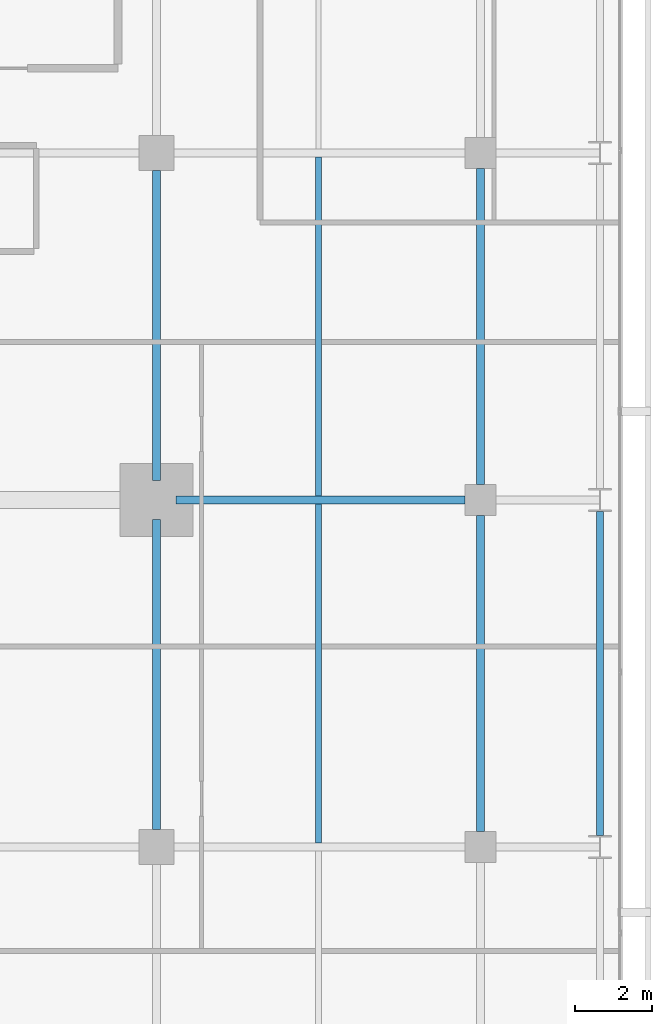
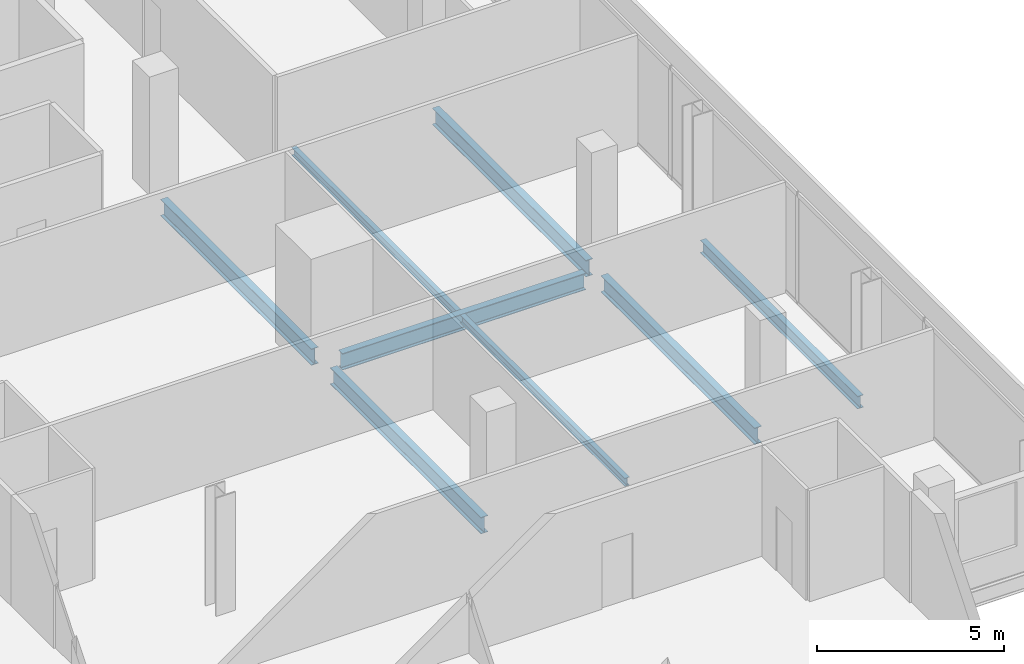
# One storey, part 16 of 32: 8 beams.
"""IFC4 building model written with IfcOpenShell, lengths in metres."""

import ifcopenshell
import ifcopenshell.guid

model = None  # the IFC model being written
_history = None  # IfcOwnerHistory: only IFC2X3 demands one
_inside = {}  # id of a spatial element -> (the spatial element, [elements in it])
_under = {}  # id of a project, library or spatial element -> (it, [spatial elements below it])
_declared = {}  # id of a project -> (the project, [libraries it declares])
_typed = {}  # id of a type object -> (the type object, [elements of that type])
_made_of = {}  # id of a material, layer set ... -> (it, [elements and type objects made of it])


def new_model(schema):
    """Start an empty IFC model of exactly this schema.

    Asked for "IFC4X3", IfcOpenShell would pick the latest addendum, in which some entities
    have other attributes; the version numbers below select the first issue.
    IFC2X3 requires an IfcOwnerHistory on every rooted entity: one is made here for all.
    """
    global model, _history
    if schema == "IFC4X3":
        model = ifcopenshell.file(schema_version=(4, 3, 0, 0))
    else:
        model = ifcopenshell.file(schema=schema)
    _inside.clear()
    _under.clear()
    _declared.clear()
    _typed.clear()
    _made_of.clear()
    _history = None
    if model.schema == "IFC2X3":
        org = make("IfcOrganization", Name="unknown")
        user = make(
            "IfcPersonAndOrganization",
            ThePerson=make("IfcPerson", FamilyName="unknown"),
            TheOrganization=org,
        )
        app = make(
            "IfcApplication",
            ApplicationDeveloper=org,
            Version="unknown",
            ApplicationFullName="unknown",
            ApplicationIdentifier="unknown",
        )
        _history = make(
            "IfcOwnerHistory",
            OwningUser=user,
            OwningApplication=app,
            ChangeAction="ADDED",
            CreationDate=0,
        )
    return model


def make(cls, **values):
    """One entity of the class cls with the attributes given. An attribute that is None is left unset."""
    return model.create_entity(
        cls, **{name: value for name, value in values.items() if value is not None}
    )


def rooted(cls, **values):
    """An entity with a GlobalId (a new one), such as an element, a storey or a relation."""
    return make(cls, GlobalId=ifcopenshell.guid.new(), OwnerHistory=_history, **values)


def si_unit(unit_type, name, prefix=None):
    """IfcSIUnit, for example si_unit("LENGTHUNIT", "METRE", prefix="MILLI")."""
    return make("IfcSIUnit", UnitType=unit_type, Prefix=prefix, Name=name)


def assignment(units):
    """IfcUnitAssignment: the units of a project."""
    return None if units is None else make("IfcUnitAssignment", Units=units)


def point(xyz):
    """IfcCartesianPoint."""
    return None if xyz is None else make("IfcCartesianPoint", Coordinates=xyz)


def direction(xyz):
    """IfcDirection."""
    return None if xyz is None else make("IfcDirection", DirectionRatios=xyz)


def frame(location, z_axis=None, x_axis=None):
    """IfcAxis2Placement3D, a coordinate frame: its origin and axes. An axis left out is left unset."""
    return make(
        "IfcAxis2Placement3D",
        Location=point(location),
        Axis=direction(z_axis),
        RefDirection=direction(x_axis),
    )


def frame_2d(location, x_axis=None):
    """IfcAxis2Placement2D, a coordinate frame in the plane: its origin and x axis."""
    return make(
        "IfcAxis2Placement2D", Location=point(location), RefDirection=direction(x_axis)
    )


def origin():
    """The frame at (0, 0, 0) with its axes left unset."""
    return frame((0.0, 0.0, 0.0))


def origin_2d():
    """The frame at (0, 0) in the plane with its x axis left unset."""
    return frame_2d((0.0, 0.0))


def place(relative_to, where):
    """IfcLocalPlacement: puts the frame where relative to a parent placement (None: the world)."""
    return make(
        "IfcLocalPlacement", PlacementRelTo=relative_to, RelativePlacement=where
    )


def context(
    kind, dimensions, precision=None, world=None, true_north=None, identifier=None
):
    """IfcGeometricRepresentationContext, for example the 3D "Model" context."""
    return make(
        "IfcGeometricRepresentationContext",
        ContextIdentifier=identifier,
        ContextType=kind,
        CoordinateSpaceDimension=dimensions,
        Precision=precision,
        WorldCoordinateSystem=world,
        TrueNorth=true_north,
    )


def subcontext(parent, identifier, kind, view, scale=None):
    """IfcGeometricRepresentationSubContext, for example "Body" below "Model"."""
    return make(
        "IfcGeometricRepresentationSubContext",
        ContextIdentifier=identifier,
        ContextType=kind,
        ParentContext=parent,
        TargetScale=scale,
        TargetView=view,
    )


def project(units=None, contexts=None):
    """IfcProject with its units and contexts."""
    return rooted(
        "IfcProject",
        Name="project",
        RepresentationContexts=contexts,
        UnitsInContext=assignment(units),
    )


def spatial(cls, under=None, at=None, **own):
    """A site, building, storey or space (cls), placed at a placement, below another one or the project."""
    s = rooted(cls, ObjectPlacement=at, **own)
    if under is not None:
        _under.setdefault(under.id(), (under, []))[1].append(s)
    return s


def profile(cls, at=None, kind="AREA", **sizes):
    """A parametric profile (cls). Its sizes go by their IFC names, for example OverallWidth=200.0."""
    return make(cls, ProfileType=kind, Position=at, **sizes)


def i_section(**sizes):
    """IfcIShapeProfileDef."""
    return profile("IfcIShapeProfileDef", **sizes)


def extrude(swept, where, along, depth):
    """IfcExtrudedAreaSolid: the profile swept, set in the frame where, extruded along a direction by depth."""
    return make(
        "IfcExtrudedAreaSolid",
        SweptArea=swept,
        Position=where,
        ExtrudedDirection=direction(along),
        Depth=depth,
    )


def shape(context_of_items, identifier, shape_type, items):
    """IfcShapeRepresentation: the items that make up one representation, for example the "Body"."""
    return make(
        "IfcShapeRepresentation",
        ContextOfItems=context_of_items,
        RepresentationIdentifier=identifier,
        RepresentationType=shape_type,
        Items=items,
    )


def material(Name=None, Category=None):
    """IfcMaterial."""
    return make("IfcMaterial", Name=Name, Category=Category)


def material_profile(
    of_material, cross_section, Name=None, Category=None, Priority=None
):
    """IfcMaterialProfile: a cross section and its material."""
    return make(
        "IfcMaterialProfile",
        Name=Name,
        Material=of_material,
        Profile=cross_section,
        Priority=Priority,
        Category=Category,
    )


def profile_set(profiles, Name=None, composite=None):
    """IfcMaterialProfileSet."""
    return make(
        "IfcMaterialProfileSet",
        Name=Name,
        MaterialProfiles=profiles,
        CompositeProfile=composite,
    )


def made_of(thing, what):
    """Note that an element or type object is made of a material, layer set ...; save() writes the relation."""
    if what is not None:
        _made_of.setdefault(what.id(), (what, []))[1].append(thing)
    return thing


def type_object(cls, material=None, **own):
    """A type object (cls), such as IfcWallType, which elements share."""
    return made_of(rooted(cls, **own), material)


def element(
    cls,
    number,
    at=None,
    inside=None,
    cuts=None,
    type_object=None,
    material=None,
    context=None,
    identifier="Body",
    shape_type=None,
    held_by="IfcProductDefinitionShape",
    body=None,
    shapes=None,
    **own,
):
    """One element of the class cls, such as IfcWall. Its Tag is "e" and its number.

    at: its placement. inside: the storey or other place that contains it. cuts: it is an
    opening in that element (IfcRelVoidsElement). A single representation is given by context,
    identifier, shape_type and body (its items); several are given by shapes. held_by: the class
    of the entity that holds the representations. save() writes the other relations.
    """
    e = rooted(cls, Tag="e%d" % number, ObjectPlacement=at, **own)
    if body is not None:
        shapes = [shape(context, identifier, shape_type, body)]
    if shapes is not None:
        e.Representation = make(held_by, Representations=shapes)
    if inside is not None:
        _inside.setdefault(inside.id(), (inside, []))[1].append(e)
    if cuts is not None:
        rooted(
            "IfcRelVoidsElement", RelatingBuildingElement=cuts, RelatedOpeningElement=e
        )
    if type_object is not None:
        _typed.setdefault(type_object.id(), (type_object, []))[1].append(e)
    return made_of(e, material)


def aggregate(whole, parts):
    """IfcRelAggregates: a whole, such as a stair, and the parts it consists of."""
    return rooted("IfcRelAggregates", RelatingObject=whole, RelatedObjects=parts)


def save(model, path):
    """Write the relations noted so far, then the file.

    IfcRelAggregates (storeys below a building ...), IfcRelContainedInSpatialStructure (elements
    in a storey), IfcRelDefinesByType, IfcRelAssociatesMaterial and IfcRelDeclares: one each for
    every whole, place, type object, material and project.
    """
    for whole, parts in _under.values():
        aggregate(whole, parts)
    for where, things in _inside.values():
        rooted(
            "IfcRelContainedInSpatialStructure",
            RelatedElements=things,
            RelatingStructure=where,
        )
    for kind, things in _typed.values():
        rooted("IfcRelDefinesByType", RelatedObjects=things, RelatingType=kind)
    for what, things in _made_of.values():
        rooted("IfcRelAssociatesMaterial", RelatedObjects=things, RelatingMaterial=what)
    for by, libraries in _declared.values():
        rooted("IfcRelDeclares", RelatingContext=by, RelatedDefinitions=libraries)
    model.write(path)


model = new_model("IFC4")

# Units and contexts
model_context = context("Model", 3, precision=1e-05, world=origin(), true_north=direction((0.0, 1.0)))
body_context = subcontext(model_context, "Body", "Model", "MODEL_VIEW")
ifc_project = project(units=[si_unit("LENGTHUNIT", "METRE"), si_unit("AREAUNIT", "SQUARE_METRE"), si_unit("VOLUMEUNIT", "CUBIC_METRE"), si_unit("PLANEANGLEUNIT", "RADIAN"), si_unit("MASSUNIT", "GRAM", prefix="KILO")], contexts=[model_context])

# Site, building, storey
site_placement = place(None, origin())
site = spatial("IfcSite", under=ifc_project, at=site_placement, CompositionType="ELEMENT")
building_placement = place(site_placement, origin())
building = spatial("IfcBuilding", under=site, at=building_placement, Name="Maruvema Waterfront Hotel and Observation Tower", CompositionType="ELEMENT")
storey_placement = place(building_placement, frame((0.0, 0.0, 219.800048828125)))
storey = spatial("IfcBuildingStorey", under=building, at=storey_placement, Name="L54", CompositionType="ELEMENT", Elevation=219.800048828125)

# Beams
ifc_material_1 = material(Name="Steel ASTM A572 Grade 50", Category="steel")
ifc_material_profile_1 = material_profile(ifc_material_1, i_section(OverallWidth=0.178955078125, OverallDepth=0.409912109375, WebThickness=0.0087890625, FlangeThickness=0.014404296875, FilletRadius=0.014892578125, at=origin_2d()), Name="W410x67.0")
ifc_profile_set_1 = profile_set([ifc_material_profile_1], Name="Steel ASTM A572 Grade 50")
beam_type_1 = type_object("IfcBeamType", Name="Perimeter Spandrel Beam W410x67.0", PredefinedType="SPANDREL", material=ifc_profile_set_1)
beam_1_placement = place(storey_placement, frame((61.89990234375, 18.300048828125, -0.445068359375), z_axis=(0.0, 1.0, 0.0), x_axis=(-1.0, 0.0, 0.0)))
element("IfcBeam", 1, at=beam_1_placement, inside=storey, type_object=beam_type_1, Name="L54 Floor Girder NS-30", PredefinedType="SPANDREL", context=body_context, shape_type="SweptSolid", body=[
    extrude(i_section(OverallWidth=0.178955078125, OverallDepth=0.409912109375, WebThickness=0.0087890625, FlangeThickness=0.014404296875, FilletRadius=0.014892578125, at=origin_2d()), origin(), (0.0, 0.0, 1.0), 8.39990234375),
])
ifc_material_2 = material(Name="Steel ASTM A572 Grade 50", Category="steel")
ifc_material_profile_2 = material_profile(ifc_material_2, i_section(OverallWidth=0.2109375, OverallDepth=0.5390625, WebThickness=0.01171875, FlangeThickness=0.018798828125, FilletRadius=0.014892578125, at=origin_2d()), Name="W530x109.0")
ifc_profile_set_2 = profile_set([ifc_material_profile_2], Name="Steel ASTM A572 Grade 50")
beam_type_2 = type_object("IfcBeamType", Name="Primary Floor Girder W530x109.0", PredefinedType="BEAM", material=ifc_profile_set_2)
beam_2_placement = place(storey_placement, frame((50.89990234375, 27.0, -0.509521484375), z_axis=(1.0, 0.0, 0.0), x_axis=(0.0, 1.0, 0.0)))
element("IfcBeam", 2, at=beam_2_placement, inside=storey, type_object=beam_type_2, Name="L54 Floor Girder EW-21", PredefinedType="BEAM", context=body_context, shape_type="SweptSolid", body=[
    extrude(i_section(OverallWidth=0.2109375, OverallDepth=0.5390625, WebThickness=0.01171875, FlangeThickness=0.018798828125, FilletRadius=0.014892578125, at=origin_2d()), origin(), (0.0, 0.0, 1.0), 7.5),
])
for number, where, z_axis, x_axis, name in (
    (3, (50.39990234375, 18.449951171875, -0.509521484375), (0.0, 1.0, 0.0), (-1.0, 0.0, 0.0), "L54 Floor Girder NS-22"),
    (4, (50.39990234375, 27.5, -0.509521484375), (0.0, 1.0, 0.0), (-1.0, 0.0, 0.0), "L54 Floor Girder NS-23"),
):
    element("IfcBeam", number, at=place(storey_placement, frame(where, z_axis=z_axis, x_axis=x_axis)), inside=storey, type_object=beam_type_2, Name=name, PredefinedType="BEAM", context=body_context, shape_type="SweptSolid", body=[
        extrude(i_section(OverallWidth=0.2109375, OverallDepth=0.5390625, WebThickness=0.01171875, FlangeThickness=0.018798828125, FilletRadius=0.014892578125, at=origin_2d()), origin(), (0.0, 0.0, 1.0), 8.050048828125),
    ])
for number, where, z_axis, x_axis, name in (
    (5, (58.800048828125, 18.39990234375, -0.509521484375), (0.0, 1.0, 0.0), (-1.0, 0.0, 0.0), "L54 Floor Girder NS-26"),
    (6, (58.800048828125, 27.39990234375, -0.509521484375), (0.0, 1.0, 0.0), (-1.0, 0.0, 0.0), "L54 Floor Girder NS-27"),
):
    element("IfcBeam", number, at=place(storey_placement, frame(where, z_axis=z_axis, x_axis=x_axis)), inside=storey, type_object=beam_type_2, Name=name, PredefinedType="BEAM", context=body_context, shape_type="SweptSolid", body=[
        extrude(i_section(OverallWidth=0.2109375, OverallDepth=0.5390625, WebThickness=0.01171875, FlangeThickness=0.018798828125, FilletRadius=0.014892578125, at=origin_2d()), origin(), (0.0, 0.0, 1.0), 8.2001953125),
    ])
ifc_material_3 = material(Name="Steel ASTM A572 Grade 50", Category="steel")
ifc_material_profile_3 = material_profile(ifc_material_3, i_section(OverallWidth=0.14599609375, OverallDepth=0.258056640625, WebThickness=0.006103515625, FlangeThickness=0.009033203125, FilletRadius=0.012939453125, at=origin_2d()), Name="W250x32.7")
ifc_profile_set_3 = profile_set([ifc_material_profile_3], Name="Steel ASTM A572 Grade 50")
beam_type_3 = type_object("IfcBeamType", Name="Secondary Floor Joist W250x32.7", PredefinedType="JOIST", material=ifc_profile_set_3)
beam_3_placement = place(storey_placement, frame((54.60009765625, 27.10546875, -0.369140625), z_axis=(0.0, 1.0, 0.0), x_axis=(-1.0, 0.0, 0.0)))
element("IfcBeam", 7, at=beam_3_placement, inside=storey, type_object=beam_type_3, Name="L54 Secondary Floor Joist JS-13", PredefinedType="JOIST", context=body_context, shape_type="SweptSolid", body=[
    extrude(i_section(OverallWidth=0.14599609375, OverallDepth=0.258056640625, WebThickness=0.006103515625, FlangeThickness=0.009033203125, FilletRadius=0.012939453125, at=origin_2d()), origin(), (0.0, 0.0, 1.0), 8.7890625),
])
ifc_material_4 = material(Name="Steel ASTM A572 Grade 50", Category="steel")
ifc_material_profile_4 = material_profile(ifc_material_4, i_section(OverallWidth=0.14794921875, OverallDepth=0.26611328125, WebThickness=0.007568359375, FlangeThickness=0.012939453125, FilletRadius=0.012939453125, at=origin_2d()), Name="W250x44.8")
ifc_profile_set_4 = profile_set([ifc_material_profile_4], Name="Steel ASTM A572 Grade 50")
beam_type_4 = type_object("IfcBeamType", Name="Secondary Floor Joist W250x44.8", PredefinedType="JOIST", material=ifc_profile_set_4)
beam_4_placement = place(storey_placement, frame((54.60009765625, 18.10546875, -0.373046875), z_axis=(0.0, 1.0, 0.0), x_axis=(-1.0, 0.0, 0.0)))
element("IfcBeam", 8, at=beam_4_placement, inside=storey, type_object=beam_type_4, Name="L54 Secondary Floor Joist JS-12", PredefinedType="JOIST", context=body_context, shape_type="SweptSolid", body=[
    extrude(i_section(OverallWidth=0.14794921875, OverallDepth=0.26611328125, WebThickness=0.007568359375, FlangeThickness=0.012939453125, FilletRadius=0.012939453125, at=origin_2d()), origin(), (0.0, 0.0, 1.0), 8.7890625),
])

save(model, "model.ifc")
